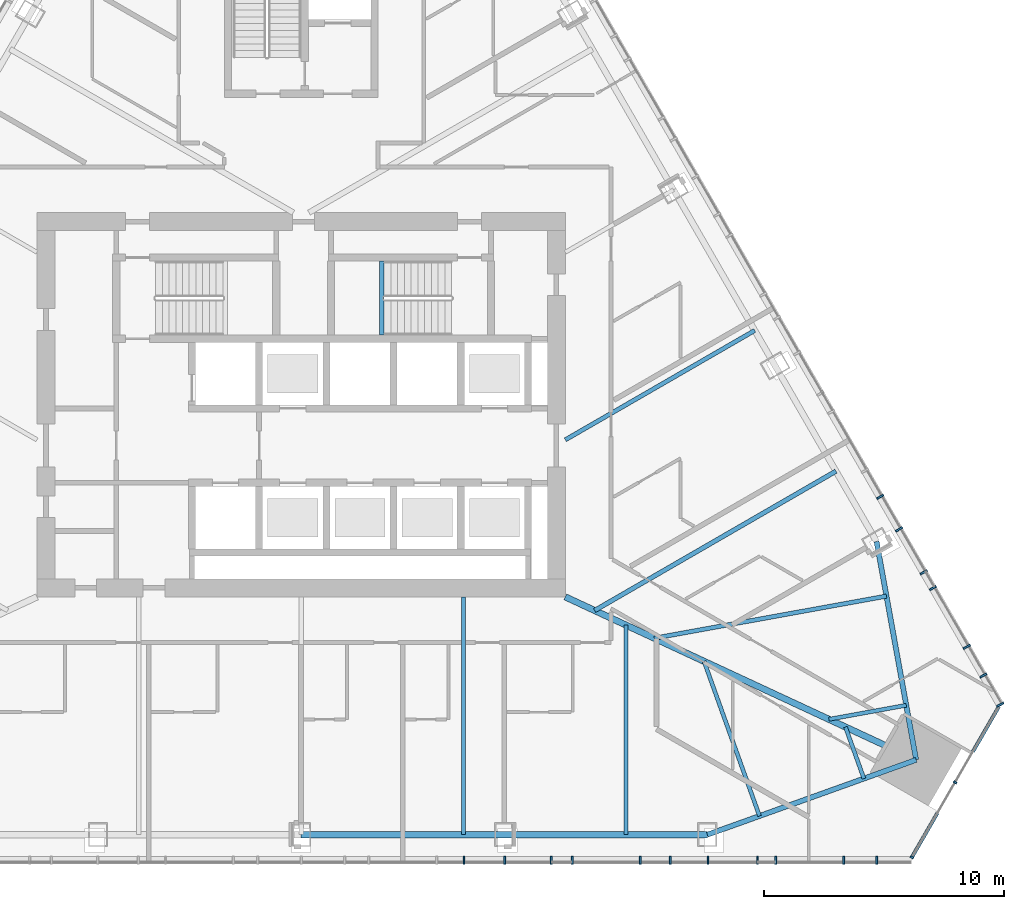
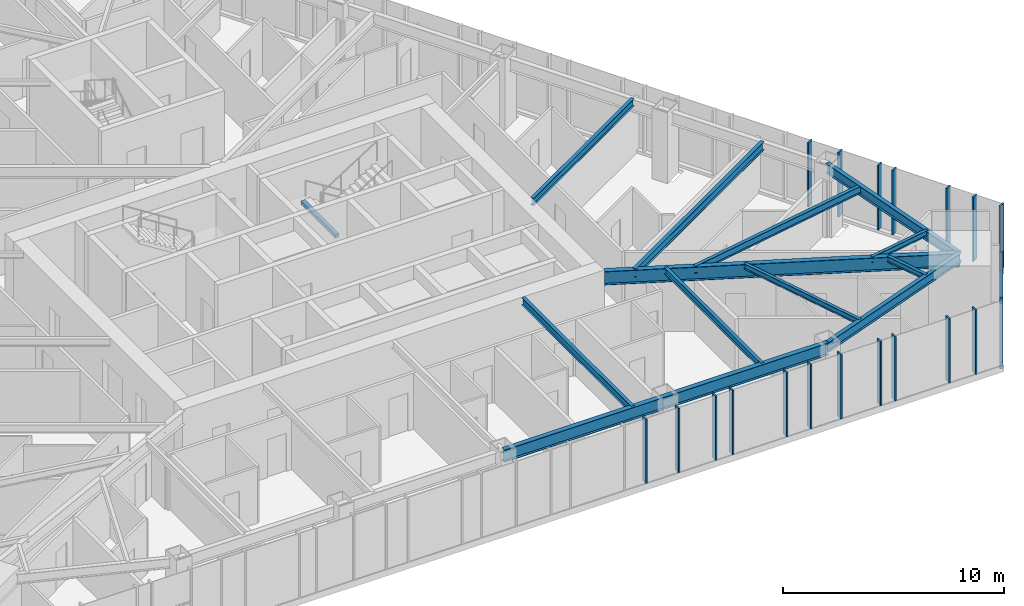
# One storey, part 5 of 19: 22 members, 13 beams, 3 elements without a shape of their own.
"""IFC4 building model written with IfcOpenShell, lengths in metres."""

from ifc_helpers import new_model, si_unit, direction, frame, origin, origin_2d, place, context, subcontext, project, spatial, rectangle, i_section, extrude, material, layer, layer_set, material_profile, profile_set, type_object, element, aggregate, save


model = new_model("IFC4")

# Units and contexts
model_context = context("Model", 3, precision=1e-05, world=origin(), true_north=direction((0.0, 1.0)))
body_context = subcontext(model_context, "Body", "Model", "MODEL_VIEW")
ifc_project = project(units=[si_unit("LENGTHUNIT", "METRE"), si_unit("AREAUNIT", "SQUARE_METRE"), si_unit("VOLUMEUNIT", "CUBIC_METRE"), si_unit("PLANEANGLEUNIT", "RADIAN"), si_unit("MASSUNIT", "GRAM", prefix="KILO")], contexts=[model_context])

# Site, building, storey
site_placement = place(None, origin())
site = spatial("IfcSite", under=ifc_project, at=site_placement, CompositionType="ELEMENT")
building_placement = place(site_placement, origin())
building = spatial("IfcBuilding", under=site, at=building_placement, Name="Firuza Gate Tower and Library", CompositionType="ELEMENT")
storey_placement = place(building_placement, frame((0.0, 0.0, 210.39990234375)))
storey = spatial("IfcBuildingStorey", under=building, at=storey_placement, Name="L49", CompositionType="ELEMENT", Elevation=210.39990234375)

# Curtain wall, members
ifc_material_1 = material(Name="Aluminium 6063-T6", Category="aluminium")
ifc_layer_1 = layer(ifc_material_1, 0.14990234375)
ifc_layer_set_1 = layer_set([ifc_layer_1], Name="Corner curtain wall, chamfers")
curtain_wall_type_1 = type_object("IfcCurtainWallType", Name="Corner curtain wall, chamfers", PredefinedType="NOTDEFINED", material=ifc_layer_set_1)
placement = place(storey_placement, origin())
curtain_wall_1 = element("IfcCurtainWall", 1, at=placement, inside=storey, type_object=curtain_wall_type_1, Name="CW4 L49 SE corner", PredefinedType="NOTDEFINED")
ifc_material_2 = material(Name="Aluminium 6063-T6", Category="aluminium")
ifc_material_profile_1 = material_profile(ifc_material_2, rectangle(XDim=0.14990234375, YDim=0.080078125, at=origin_2d()))
ifc_profile_set_1 = profile_set([ifc_material_profile_1], Name="Aluminium 6063-T6")
member_type_1 = type_object("IfcMemberType", Name="Curtain wall mullion 80x150", PredefinedType="MULLION", material=ifc_profile_set_1)
member_1_placement = place(storey_placement, frame((100.43017578125, 56.156982421875, 0.150146484375), z_axis=(0.0, 0.0, 1.0), x_axis=(-0.866025403784, 0.5, 0.0)))
member_1 = element("IfcMember", 2, at=member_1_placement, type_object=member_type_1, Name="Mullion", PredefinedType="MULLION", context=body_context, shape_type="SweptSolid", body=[
    extrude(rectangle(XDim=0.14990234375, YDim=0.080078125, at=origin_2d()), origin(), (0.0, 0.0, 1.0), 3.550048828125),
])
member_2_placement = place(storey_placement, frame((102.23193359375, 59.277587890625, 0.150146484375), z_axis=(0.0, 0.0, 1.0), x_axis=(-0.866025403784, 0.5, 0.0)))
member_2 = element("IfcMember", 3, at=member_2_placement, type_object=member_type_1, Name="Mullion", PredefinedType="MULLION", context=body_context, shape_type="SweptSolid", body=[
    extrude(rectangle(XDim=0.14990234375, YDim=0.080078125, at=origin_2d()), origin(), (0.0, 0.0, 1.0), 3.550048828125),
])

ifc_material_3 = material(Name="Aluminium 6063-T6", Category="aluminium")
ifc_layer_2 = layer(ifc_material_3, 0.14990234375)
ifc_layer_set_2 = layer_set([ifc_layer_2], Name="Unitised curtain wall, hotel")
curtain_wall_type_2 = type_object("IfcCurtainWallType", Name="Unitised curtain wall, hotel", PredefinedType="NOTDEFINED", material=ifc_layer_set_2)
curtain_wall_2 = element("IfcCurtainWall", 4, at=placement, inside=storey, type_object=curtain_wall_type_2, Name="CW2 L49 S face", PredefinedType="NOTDEFINED")
ifc_material_4 = material(Name="Aluminium 6063-T6", Category="aluminium")
ifc_material_profile_2 = material_profile(ifc_material_4, rectangle(XDim=0.320068359375, YDim=0.080078125, at=origin_2d()))
ifc_profile_set_2 = profile_set([ifc_material_profile_2], Name="Aluminium 6063-T6")
member_type_2 = type_object("IfcMemberType", Name="Curtain wall mullion 80x320", PredefinedType="MULLION", material=ifc_profile_set_2)
member_3_placement = place(storey_placement, frame((83.47021484375, 56.037353515625, 0.150146484375), z_axis=(0.0, 0.0, 1.0), x_axis=(0.0, 1.0, 0.0)))
member_3 = element("IfcMember", 5, at=member_3_placement, type_object=member_type_2, Name="Mullion", PredefinedType="MULLION", context=body_context, shape_type="SweptSolid", body=[
    extrude(rectangle(XDim=0.320068359375, YDim=0.080078125, at=origin_2d()), origin(), (0.0, 0.0, 1.0), 3.550048828125),
])
member_4_placement = place(storey_placement, frame((86.29345703125, 56.037353515625, 0.150146484375), z_axis=(0.0, 0.0, 1.0), x_axis=(0.0, 1.0, 0.0)))
member_4 = element("IfcMember", 6, at=member_4_placement, type_object=member_type_2, Name="Mullion", PredefinedType="MULLION", context=body_context, shape_type="SweptSolid", body=[
    extrude(rectangle(XDim=0.320068359375, YDim=0.080078125, at=origin_2d()), origin(), (0.0, 0.0, 1.0), 3.550048828125),
])
member_5_placement = place(storey_placement, frame((89.116943359375, 56.037353515625, 0.150146484375), z_axis=(0.0, 0.0, 1.0), x_axis=(0.0, 1.0, 0.0)))
member_5 = element("IfcMember", 7, at=member_5_placement, type_object=member_type_2, Name="Mullion", PredefinedType="MULLION", context=body_context, shape_type="SweptSolid", body=[
    extrude(rectangle(XDim=0.320068359375, YDim=0.080078125, at=origin_2d()), origin(), (0.0, 0.0, 1.0), 3.550048828125),
])
member_6_placement = place(storey_placement, frame((91.940185546875, 56.037353515625, 0.150146484375), z_axis=(0.0, 0.0, 1.0), x_axis=(0.0, 1.0, 0.0)))
member_6 = element("IfcMember", 8, at=member_6_placement, type_object=member_type_2, Name="Mullion", PredefinedType="MULLION", context=body_context, shape_type="SweptSolid", body=[
    extrude(rectangle(XDim=0.320068359375, YDim=0.080078125, at=origin_2d()), origin(), (0.0, 0.0, 1.0), 3.550048828125),
])
member_7_placement = place(storey_placement, frame((94.763671875, 56.037353515625, 0.150146484375), z_axis=(0.0, 0.0, 1.0), x_axis=(0.0, 1.0, 0.0)))
member_7 = element("IfcMember", 9, at=member_7_placement, type_object=member_type_2, Name="Mullion", PredefinedType="MULLION", context=body_context, shape_type="SweptSolid", body=[
    extrude(rectangle(XDim=0.320068359375, YDim=0.080078125, at=origin_2d()), origin(), (0.0, 0.0, 1.0), 3.550048828125),
])
member_8_placement = place(storey_placement, frame((97.5869140625, 56.037353515625, 0.150146484375), z_axis=(0.0, 0.0, 1.0), x_axis=(0.0, 1.0, 0.0)))
member_8 = element("IfcMember", 10, at=member_8_placement, type_object=member_type_2, Name="Mullion", PredefinedType="MULLION", context=body_context, shape_type="SweptSolid", body=[
    extrude(rectangle(XDim=0.320068359375, YDim=0.080078125, at=origin_2d()), origin(), (0.0, 0.0, 1.0), 3.550048828125),
])
member_9_placement = place(storey_placement, frame((81.77978515625, 56.037353515625, 0.150146484375), z_axis=(0.0, 0.0, 1.0), x_axis=(0.0, 1.0, 0.0)))
member_9 = element("IfcMember", 11, at=member_9_placement, type_object=member_type_2, Name="Mullion", PredefinedType="MULLION", context=body_context, shape_type="SweptSolid", body=[
    extrude(rectangle(XDim=0.320068359375, YDim=0.080078125, at=origin_2d()), origin(), (0.0, 0.0, 1.0), 3.550048828125),
])
member_10_placement = place(storey_placement, frame((85.40771484375, 56.037353515625, 0.150146484375), z_axis=(0.0, 0.0, 1.0), x_axis=(0.0, 1.0, 0.0)))
member_10 = element("IfcMember", 12, at=member_10_placement, type_object=member_type_2, Name="Mullion", PredefinedType="MULLION", context=body_context, shape_type="SweptSolid", body=[
    extrude(rectangle(XDim=0.320068359375, YDim=0.080078125, at=origin_2d()), origin(), (0.0, 0.0, 1.0), 3.550048828125),
])
member_11_placement = place(storey_placement, frame((90.37353515625, 56.037353515625, 0.150146484375), z_axis=(0.0, 0.0, 1.0), x_axis=(0.0, 1.0, 0.0)))
member_11 = element("IfcMember", 13, at=member_11_placement, type_object=member_type_2, Name="Mullion", PredefinedType="MULLION", context=body_context, shape_type="SweptSolid", body=[
    extrude(rectangle(XDim=0.320068359375, YDim=0.080078125, at=origin_2d()), origin(), (0.0, 0.0, 1.0), 3.550048828125),
])
member_12_placement = place(storey_placement, frame((94.00146484375, 56.037353515625, 0.150146484375), z_axis=(0.0, 0.0, 1.0), x_axis=(0.0, 1.0, 0.0)))
member_12 = element("IfcMember", 14, at=member_12_placement, type_object=member_type_2, Name="Mullion", PredefinedType="MULLION", context=body_context, shape_type="SweptSolid", body=[
    extrude(rectangle(XDim=0.320068359375, YDim=0.080078125, at=origin_2d()), origin(), (0.0, 0.0, 1.0), 3.550048828125),
])
member_13_placement = place(storey_placement, frame((98.96728515625, 56.037353515625, 0.150146484375), z_axis=(0.0, 0.0, 1.0), x_axis=(0.0, 1.0, 0.0)))
member_13 = element("IfcMember", 15, at=member_13_placement, type_object=member_type_2, Name="Mullion", PredefinedType="MULLION", context=body_context, shape_type="SweptSolid", body=[
    extrude(rectangle(XDim=0.320068359375, YDim=0.080078125, at=origin_2d()), origin(), (0.0, 0.0, 1.0), 3.550048828125),
])
aggregate(curtain_wall_2, [member_3, member_4, member_5, member_6, member_7, member_8, member_9, member_10, member_11, member_12, member_13])

curtain_wall_3 = element("IfcCurtainWall", 16, at=placement, inside=storey, type_object=curtain_wall_type_2, Name="CW2 L49 E face", PredefinedType="NOTDEFINED")
member_14_placement = place(storey_placement, frame((104.107177734375, 62.510009765625, 0.150146484375), z_axis=(0.0, 0.0, 1.0), x_axis=(-0.866025403784, -0.5, 0.0)))
member_14 = element("IfcMember", 17, at=member_14_placement, type_object=member_type_2, Name="Mullion", PredefinedType="MULLION", context=body_context, shape_type="SweptSolid", body=[
    extrude(rectangle(XDim=0.320068359375, YDim=0.080078125, at=origin_2d()), origin(), (0.0, 0.0, 1.0), 3.550048828125),
])
member_15_placement = place(storey_placement, frame((102.715576171875, 64.92041015625, 0.150146484375), z_axis=(0.0, 0.0, 1.0), x_axis=(-0.866025403784, -0.5, 0.0)))
member_15 = element("IfcMember", 18, at=member_15_placement, type_object=member_type_2, Name="Mullion", PredefinedType="MULLION", context=body_context, shape_type="SweptSolid", body=[
    extrude(rectangle(XDim=0.320068359375, YDim=0.080078125, at=origin_2d()), origin(), (0.0, 0.0, 1.0), 3.550048828125),
])
member_16_placement = place(storey_placement, frame((101.303955078125, 67.365478515625, 0.150146484375), z_axis=(0.0, 0.0, 1.0), x_axis=(-0.866025403784, -0.5, 0.0)))
member_16 = element("IfcMember", 19, at=member_16_placement, type_object=member_type_2, Name="Mullion", PredefinedType="MULLION", context=body_context, shape_type="SweptSolid", body=[
    extrude(rectangle(XDim=0.320068359375, YDim=0.080078125, at=origin_2d()), origin(), (0.0, 0.0, 1.0), 3.550048828125),
])
member_17_placement = place(storey_placement, frame((99.89208984375, 69.810546875, 0.150146484375), z_axis=(0.0, 0.0, 1.0), x_axis=(-0.866025403784, -0.5, 0.0)))
member_17 = element("IfcMember", 20, at=member_17_placement, type_object=member_type_2, Name="Mullion", PredefinedType="MULLION", context=body_context, shape_type="SweptSolid", body=[
    extrude(rectangle(XDim=0.320068359375, YDim=0.080078125, at=origin_2d()), origin(), (0.0, 0.0, 1.0), 3.550048828125),
])
member_18_placement = place(storey_placement, frame((103.40576171875, 63.72509765625, 0.150146484375), z_axis=(0.0, 0.0, 1.0), x_axis=(-0.866025403784, -0.5, 0.0)))
member_18 = element("IfcMember", 21, at=member_18_placement, type_object=member_type_2, Name="Mullion", PredefinedType="MULLION", context=body_context, shape_type="SweptSolid", body=[
    extrude(rectangle(XDim=0.320068359375, YDim=0.080078125, at=origin_2d()), origin(), (0.0, 0.0, 1.0), 3.550048828125),
])
member_19_placement = place(storey_placement, frame((100.9228515625, 68.025390625, 0.150146484375), z_axis=(0.0, 0.0, 1.0), x_axis=(-0.866025403784, -0.5, 0.0)))
member_19 = element("IfcMember", 22, at=member_19_placement, type_object=member_type_2, Name="Mullion", PredefinedType="MULLION", context=body_context, shape_type="SweptSolid", body=[
    extrude(rectangle(XDim=0.320068359375, YDim=0.080078125, at=origin_2d()), origin(), (0.0, 0.0, 1.0), 3.550048828125),
])
member_20_placement = place(storey_placement, frame((99.10888671875, 71.16748046875, 0.150146484375), z_axis=(0.0, 0.0, 1.0), x_axis=(-0.866025403784, -0.5, 0.0)))
member_20 = element("IfcMember", 23, at=member_20_placement, type_object=member_type_2, Name="Mullion", PredefinedType="MULLION", context=body_context, shape_type="SweptSolid", body=[
    extrude(rectangle(XDim=0.320068359375, YDim=0.080078125, at=origin_2d()), origin(), (0.0, 0.0, 1.0), 3.550048828125),
])
aggregate(curtain_wall_3, [member_14, member_15, member_16, member_17, member_18, member_19, member_20])

# Member
ifc_material_5 = material(Name="Aluminium 6063-T6", Category="aluminium")
ifc_material_profile_3 = material_profile(ifc_material_5, rectangle(XDim=0.14990234375, YDim=0.35009765625, at=origin_2d()))
ifc_profile_set_3 = profile_set([ifc_material_profile_3], Name="Aluminium 6063-T6")
member_type_3 = type_object("IfcMemberType", Name="Curtain wall transom 350x150", PredefinedType="USERDEFINED", material=ifc_profile_set_3)
member_21_placement = place(storey_placement, frame((100.410400390625, 56.12255859375, -0.02490234375), z_axis=(0.499999270699, 0.866025824846, 0.0), x_axis=(-0.866025824846, 0.499999270699, 0.0)))
member_21 = element("IfcMember", 24, at=member_21_placement, type_object=member_type_3, Name="Transom", ObjectType="TRANSOM", PredefinedType="USERDEFINED", context=body_context, shape_type="SweptSolid", body=[
    extrude(rectangle(XDim=0.14990234375, YDim=0.35009765625, at=origin_2d()), origin(), (0.0, 0.0, 1.0), 2.1630859375),
])

member_22_placement = place(storey_placement, frame((102.971923828125, 60.559326171875, -0.02490234375), z_axis=(0.500035042182, 0.866005171226, 0.0), x_axis=(-0.866005171226, 0.500035042182, 0.0)))
member_22 = element("IfcMember", 25, at=member_22_placement, type_object=member_type_3, Name="Transom", ObjectType="TRANSOM", PredefinedType="USERDEFINED", context=body_context, shape_type="SweptSolid", body=[
    extrude(rectangle(XDim=0.14990234375, YDim=0.35009765625, at=origin_2d()), origin(), (0.0, 0.0, 1.0), 2.163330078125),
])

aggregate(curtain_wall_1, [member_1, member_2, member_21, member_22])

# Beams
ifc_material_6 = material(Name="Concrete C35/45", Category="concrete")
ifc_material_profile_4 = material_profile(ifc_material_6, rectangle(XDim=0.199951171875, YDim=0.199951171875, at=origin_2d()))
ifc_profile_set_4 = profile_set([ifc_material_profile_4], Name="Concrete C35/45")
beam_type_1 = type_object("IfcBeamType", Name="Stair landing bearer 200x200", PredefinedType="BEAM", material=ifc_profile_set_4)
beam_1_placement = place(storey_placement, frame((78.360107421875, 80.97998046875, 1.650146484375), z_axis=(0.0, -1.0, 0.0), x_axis=(1.0, 0.0, 0.0)))
element("IfcBeam", 26, at=beam_1_placement, inside=storey, type_object=beam_type_1, Name="Landing bearer L49 stair 2", PredefinedType="BEAM", context=body_context, shape_type="SweptSolid", body=[
    extrude(rectangle(XDim=0.199951171875, YDim=0.199951171875, at=origin_2d()), origin(), (0.0, 0.0, 1.0), 3.080078125),
])
ifc_material_7 = material(Name="Steel S355", Category="steel")
ifc_material_profile_5 = material_profile(ifc_material_7, i_section(OverallWidth=0.1650390625, OverallDepth=0.31005859375, WebThickness=0.005859375, FlangeThickness=0.009765625, at=origin_2d()))
ifc_profile_set_5 = profile_set([ifc_material_profile_5], Name="Steel S355")
beam_type_2 = type_object("IfcBeamType", Name="W310x39 Floor beam", PredefinedType="JOIST", material=ifc_profile_set_5)
beam_2_placement = place(storey_placement, frame((94.08544921875, 57.876953125, 3.545166015625), z_axis=(-0.337452942664, 0.941342398645, 0.0), x_axis=(-0.941342398645, -0.337452942664, 0.0)))
element("IfcBeam", 27, at=beam_2_placement, inside=storey, type_object=beam_type_2, Name="Floor beam L49 s30", PredefinedType="JOIST", context=body_context, shape_type="SweptSolid", body=[
    extrude(i_section(OverallWidth=0.1650390625, OverallDepth=0.31005859375, WebThickness=0.005859375, FlangeThickness=0.009765625, at=origin_2d()), origin(), (0.0, 0.0, 1.0), 6.84130859375),
])
beam_3_placement = place(storey_placement, frame((98.433837890625, 59.435791015625, 3.545166015625), z_axis=(-0.337475616442, 0.941334270229, 0.0), x_axis=(-0.941334270229, -0.337475616442, 0.0)))
element("IfcBeam", 28, at=beam_3_placement, inside=storey, type_object=beam_type_2, Name="Floor beam L49 s31", PredefinedType="JOIST", context=body_context, shape_type="SweptSolid", body=[
    extrude(i_section(OverallWidth=0.1650390625, OverallDepth=0.31005859375, WebThickness=0.005859375, FlangeThickness=0.009765625, at=origin_2d()), origin(), (0.0, 0.0, 1.0), 2.2802734375),
])
beam_4_placement = place(storey_placement, frame((100.196044921875, 62.48779296875, 3.545166015625), z_axis=(-0.983948530729, -0.178452483528, 0.0), x_axis=(0.178452483528, -0.983948530729, 0.0)))
element("IfcBeam", 29, at=beam_4_placement, inside=storey, type_object=beam_type_2, Name="Floor beam L49 s40", PredefinedType="JOIST", context=body_context, shape_type="SweptSolid", body=[
    extrude(i_section(OverallWidth=0.1650390625, OverallDepth=0.31005859375, WebThickness=0.005859375, FlangeThickness=0.009765625, at=origin_2d()), origin(), (0.0, 0.0, 1.0), 3.275146484375),
])
ifc_material_8 = material(Name="Steel S355", Category="steel")
ifc_material_profile_6 = material_profile(ifc_material_8, i_section(OverallWidth=0.1708984375, OverallDepth=0.35498046875, WebThickness=0.007080078125, FlangeThickness=0.01171875, at=origin_2d()))
ifc_profile_set_6 = profile_set([ifc_material_profile_6], Name="Steel S355")
beam_type_3 = type_object("IfcBeamType", Name="W360x51 Floor beam", PredefinedType="JOIST", material=ifc_profile_set_6)
beam_5_placement = place(storey_placement, frame((88.529052734375, 57.097412109375, 3.522705078125), z_axis=(0.0, 1.0, 0.0), x_axis=(-1.0, 0.0, 0.0)))
element("IfcBeam", 30, at=beam_5_placement, inside=storey, type_object=beam_type_3, Name="Floor beam L49 s24", PredefinedType="JOIST", context=body_context, shape_type="SweptSolid", body=[
    extrude(i_section(OverallWidth=0.1708984375, OverallDepth=0.35498046875, WebThickness=0.007080078125, FlangeThickness=0.01171875, at=origin_2d()), origin(), (0.0, 0.0, 1.0), 8.72802734375),
])
ifc_material_9 = material(Name="Steel S355", Category="steel")
ifc_material_profile_7 = material_profile(ifc_material_9, i_section(OverallWidth=0.177978515625, OverallDepth=0.406982421875, WebThickness=0.0078125, FlangeThickness=0.0126953125, at=origin_2d()))
ifc_profile_set_7 = profile_set([ifc_material_profile_7], Name="Steel S355")
beam_type_4 = type_object("IfcBeamType", Name="W410x60 Floor beam", PredefinedType="JOIST", material=ifc_profile_set_7)
beam_6_placement = place(storey_placement, frame((81.7646484375, 57.097412109375, 3.49658203125), z_axis=(0.0, 1.0, 0.0), x_axis=(-1.0, 0.0, 0.0)))
element("IfcBeam", 31, at=beam_6_placement, inside=storey, type_object=beam_type_4, Name="Floor beam L49 s23", PredefinedType="JOIST", context=body_context, shape_type="SweptSolid", body=[
    extrude(i_section(OverallWidth=0.177978515625, OverallDepth=0.406982421875, WebThickness=0.0078125, FlangeThickness=0.0126953125, at=origin_2d()), origin(), (0.0, 0.0, 1.0), 9.902587890625),
])
beam_7_placement = place(storey_placement, frame((99.371826171875, 67.032958984375, 3.49658203125), z_axis=(-0.98395368435, -0.178424065234, 0.0), x_axis=(0.178424065234, -0.98395368435, 0.0)))
element("IfcBeam", 32, at=beam_7_placement, inside=storey, type_object=beam_type_4, Name="Floor beam L49 s41", PredefinedType="JOIST", context=body_context, shape_type="SweptSolid", body=[
    extrude(i_section(OverallWidth=0.177978515625, OverallDepth=0.406982421875, WebThickness=0.0078125, FlangeThickness=0.0126953125, at=origin_2d()), origin(), (0.0, 0.0, 1.0), 9.825927734375),
])
beam_8_placement = place(storey_placement, frame((93.88623046875, 78.093017578125, 3.49658203125), z_axis=(-0.86602039319, -0.500008678503, 0.0), x_axis=(0.500008678503, -0.86602039319, 0.0)))
element("IfcBeam", 33, at=beam_8_placement, inside=storey, type_object=beam_type_4, Name="Floor beam L49 s51", PredefinedType="JOIST", context=body_context, shape_type="SweptSolid", body=[
    extrude(i_section(OverallWidth=0.177978515625, OverallDepth=0.406982421875, WebThickness=0.0078125, FlangeThickness=0.0126953125, at=origin_2d()), origin(), (0.0, 0.0, 1.0), 9.106201171875),
])
ifc_material_10 = material(Name="Steel S355", Category="steel")
ifc_material_profile_8 = material_profile(ifc_material_10, i_section(OverallWidth=0.18994140625, OverallDepth=0.45703125, WebThickness=0.009033203125, FlangeThickness=0.014404296875, at=origin_2d()))
ifc_profile_set_8 = profile_set([ifc_material_profile_8], Name="Steel S355")
beam_type_5 = type_object("IfcBeamType", Name="W460x74 Floor beam", PredefinedType="JOIST", material=ifc_profile_set_8)
beam_9_placement = place(storey_placement, frame((97.2685546875, 72.23486328125, 3.4716796875), z_axis=(-0.866021598738, -0.500006590476, 0.0), x_axis=(0.500006590476, -0.866021598738, 0.0)))
element("IfcBeam", 34, at=beam_9_placement, inside=storey, type_object=beam_type_5, Name="Floor beam L49 s50", PredefinedType="JOIST", context=body_context, shape_type="SweptSolid", body=[
    extrude(i_section(OverallWidth=0.18994140625, OverallDepth=0.45703125, WebThickness=0.009033203125, FlangeThickness=0.014404296875, at=origin_2d()), origin(), (0.0, 0.0, 1.0), 11.602783203125),
])
ifc_material_11 = material(Name="Steel S355", Category="steel")
ifc_material_profile_9 = material_profile(ifc_material_11, i_section(OverallWidth=0.212890625, OverallDepth=0.5390625, WebThickness=0.01171875, FlangeThickness=0.018798828125, at=origin_2d()))
ifc_profile_set_9 = profile_set([ifc_material_profile_9], Name="Steel S355")
beam_type_6 = type_object("IfcBeamType", Name="W530x109 Edge beam", PredefinedType="SPANDREL", material=ifc_profile_set_9)
for number, where, z_axis, x_axis, name in (
    (35, (91.911376953125, 57.097412109375, 3.4306640625), (0.941340671255, 0.337457761269, 0.0), (-0.337457761269, 0.941340671255, 0.0), "Edge beam L49 e30"),
    (36, (100.608154296875, 60.215087890625, 3.4306640625), (-0.178424980687, 0.983953518347, 0.0), (-0.983953518347, -0.178424980687, 0.0), "Edge beam L49 e40"),
):
    element("IfcBeam", number, at=place(storey_placement, frame(where, z_axis=z_axis, x_axis=x_axis)), inside=storey, type_object=beam_type_6, Name=name, PredefinedType="SPANDREL", context=body_context, shape_type="SweptSolid", body=[
        extrude(i_section(OverallWidth=0.212890625, OverallDepth=0.5390625, WebThickness=0.01171875, FlangeThickness=0.018798828125, at=origin_2d()), origin(), (0.0, 0.0, 1.0), 9.23876953125),
    ])
ifc_material_12 = material(Name="Steel S355", Category="steel")
ifc_material_profile_10 = material_profile(ifc_material_12, i_section(OverallWidth=0.2529296875, OverallDepth=0.677978515625, WebThickness=0.01171875, FlangeThickness=0.016357421875, at=origin_2d()))
ifc_profile_set_10 = profile_set([ifc_material_profile_10], Name="Steel S355")
beam_type_7 = type_object("IfcBeamType", Name="W690x125 Edge beam", PredefinedType="SPANDREL", material=ifc_profile_set_10)
beam_10_placement = place(storey_placement, frame((75.0, 57.097412109375, 3.361083984375), z_axis=(1.0, 0.0, 0.0), x_axis=(0.0, 1.0, 0.0)))
element("IfcBeam", 37, at=beam_10_placement, inside=storey, type_object=beam_type_7, Name="Edge beam L49 e22", PredefinedType="SPANDREL", context=body_context, shape_type="SweptSolid", body=[
    extrude(i_section(OverallWidth=0.2529296875, OverallDepth=0.677978515625, WebThickness=0.01171875, FlangeThickness=0.016357421875, at=origin_2d()), origin(), (0.0, 0.0, 1.0), 16.911376953125),
])
ifc_material_13 = material(Name="Steel S355", Category="steel")
ifc_material_profile_11 = material_profile(ifc_material_13, i_section(OverallWidth=0.264892578125, OverallDepth=0.7529296875, WebThickness=0.01318359375, FlangeThickness=0.01708984375, at=origin_2d()))
ifc_profile_set_11 = profile_set([ifc_material_profile_11], Name="Steel S355")
beam_type_8 = type_object("IfcBeamType", Name="W760x147 Girder", PredefinedType="BEAM", material=ifc_profile_set_11)
beam_11_placement = place(storey_placement, frame((100.608154296875, 60.215087890625, 3.323486328125), z_axis=(-0.90694837612, 0.421241786927, 0.0), x_axis=(-0.421241786927, -0.90694837612, 0.0)))
element("IfcBeam", 38, at=beam_11_placement, inside=storey, type_object=beam_type_8, Name="Girder L49 gSE", PredefinedType="BEAM", context=body_context, shape_type="SweptSolid", body=[
    extrude(i_section(OverallWidth=0.264892578125, OverallDepth=0.7529296875, WebThickness=0.01318359375, FlangeThickness=0.01708984375, at=origin_2d()), origin(), (0.0, 0.0, 1.0), 16.10693359375),
])

save(model, "model.ifc")
